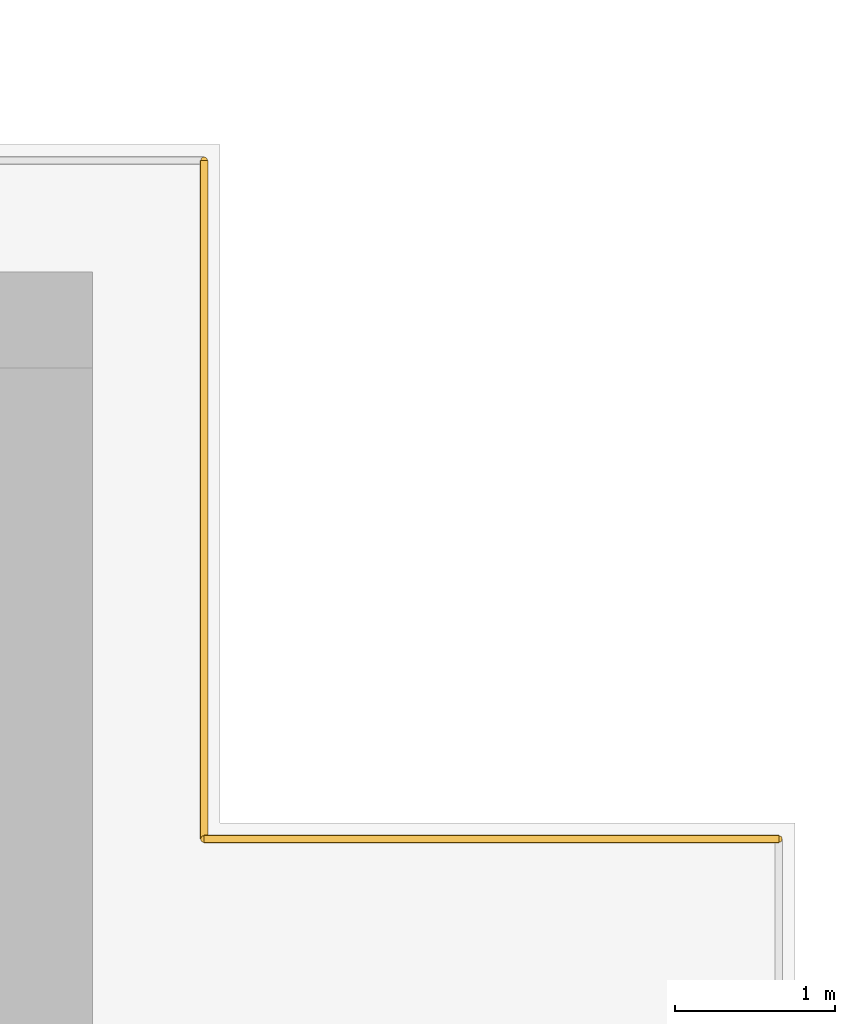
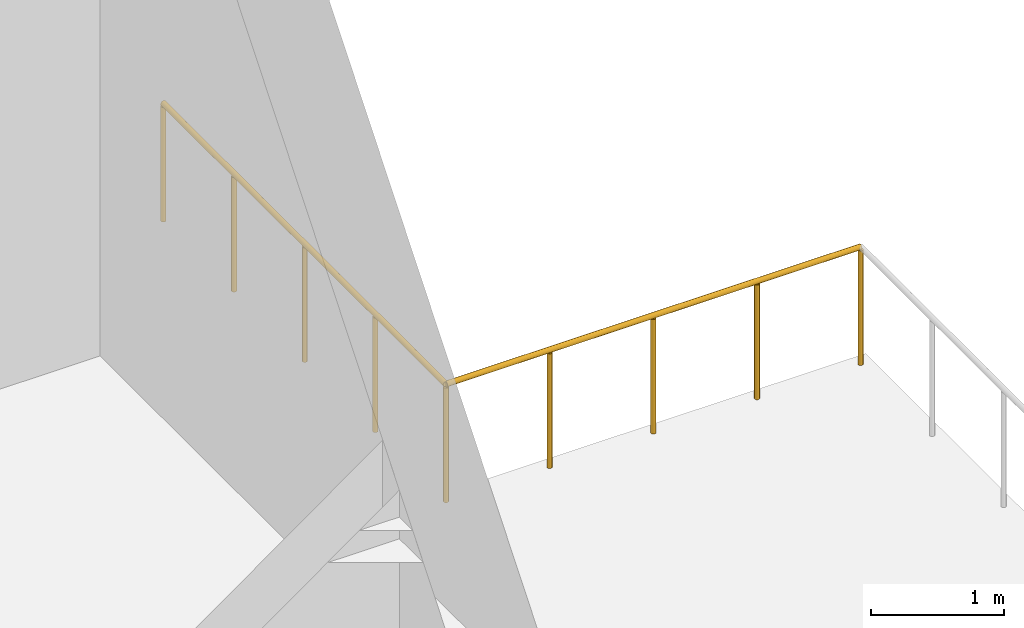
# One storey, part 10 of 10: 2 railings.
"""IFC4 building model written with IfcOpenShell, lengths in metres."""

from ifc_helpers import new_model, si_unit, direction, frame, origin, origin_2d, place, context, subcontext, project, spatial, circle, extrude, material, type_object, element, save


model = new_model("IFC4")

# Units and contexts
model_context = context("Model", 3, precision=1e-05, world=origin(), true_north=direction((0.0, 1.0)))
body_context = subcontext(model_context, "Body", "Model", "MODEL_VIEW")
ifc_project = project(units=[si_unit("LENGTHUNIT", "METRE"), si_unit("AREAUNIT", "SQUARE_METRE"), si_unit("VOLUMEUNIT", "CUBIC_METRE"), si_unit("PLANEANGLEUNIT", "RADIAN"), si_unit("MASSUNIT", "GRAM", prefix="KILO")], contexts=[model_context])

# Site, building, storey
site_placement = place(None, origin())
site = spatial("IfcSite", under=ifc_project, at=site_placement, CompositionType="ELEMENT")
building_placement = place(site_placement, origin())
building = spatial("IfcBuilding", under=site, at=building_placement, Name="Kilnfold Tower and Market Hall", CompositionType="ELEMENT")
storey_placement = place(building_placement, frame((0.0, 0.0, 323.800048828125)))
storey = spatial("IfcBuildingStorey", under=building, at=storey_placement, Name="L81 Crown Plant", CompositionType="ELEMENT", Elevation=323.800048828125)

# Railings
ifc_material = material(Name="Stainless steel 316", Category="steel")
railing_type = type_object("IfcRailingType", Name="CROWN DECK GUARD 1100", PredefinedType="GUARDRAIL", material=ifc_material)
railing_1_placement = place(storey_placement, frame((18.39990234375, 22.300048828125, 0.0)))
element("IfcRailing", 1, at=railing_1_placement, inside=storey, type_object=railing_type, Name="Crown deck guard", PredefinedType="GUARDRAIL", context=body_context, shape_type="SweptSolid", body=[
    extrude(circle(Radius=0.02392578125, at=origin_2d()), frame((0.0, 0.0, 1.076171875), z_axis=(0.0, -1.0, 0.0), x_axis=(1.0, 0.0, 0.0)), (0.0, 0.0, 1.0), 4.25),
    extrude(circle(Radius=0.02099609375, at=origin_2d()), origin(), (0.0, 0.0, 1.0), 1.052001953125),
    extrude(circle(Radius=0.02099609375, at=origin_2d()), frame((0.0, -1.0625, 0.0)), (0.0, 0.0, 1.0), 1.052001953125),
    extrude(circle(Radius=0.02099609375, at=origin_2d()), frame((0.0, -2.125, 0.0)), (0.0, 0.0, 1.0), 1.052001953125),
    extrude(circle(Radius=0.02099609375, at=origin_2d()), frame((0.0, -3.1875, 0.0)), (0.0, 0.0, 1.0), 1.052001953125),
    extrude(circle(Radius=0.02099609375, at=origin_2d()), frame((0.0, -4.25, 0.0)), (0.0, 0.0, 1.0), 1.052001953125),
])
railing_2_placement = place(storey_placement, frame((18.39990234375, 18.050048828125, 0.0)))
element("IfcRailing", 2, at=railing_2_placement, inside=storey, type_object=railing_type, Name="Crown deck guard", PredefinedType="GUARDRAIL", context=body_context, shape_type="SweptSolid", body=[
    extrude(circle(Radius=0.02392578125, at=origin_2d()), frame((0.0, 0.0, 1.076171875), z_axis=(1.0, 0.0, 0.0), x_axis=(0.0, 1.0, 0.0)), (0.0, 0.0, 1.0), 3.60009765625),
    extrude(circle(Radius=0.02099609375, at=origin_2d()), origin(), (0.0, 0.0, 1.0), 1.052001953125),
    extrude(circle(Radius=0.02099609375, at=origin_2d()), frame((0.89990234375, 0.0, 0.0)), (0.0, 0.0, 1.0), 1.052001953125),
    extrude(circle(Radius=0.02099609375, at=origin_2d()), frame((1.800048828125, 0.0, 0.0)), (0.0, 0.0, 1.0), 1.052001953125),
    extrude(circle(Radius=0.02099609375, at=origin_2d()), frame((2.7001953125, 0.0, 0.0)), (0.0, 0.0, 1.0), 1.052001953125),
    extrude(circle(Radius=0.02099609375, at=origin_2d()), frame((3.60009765625, 0.0, 0.0)), (0.0, 0.0, 1.0), 1.052001953125),
])

save(model, "model.ifc")
